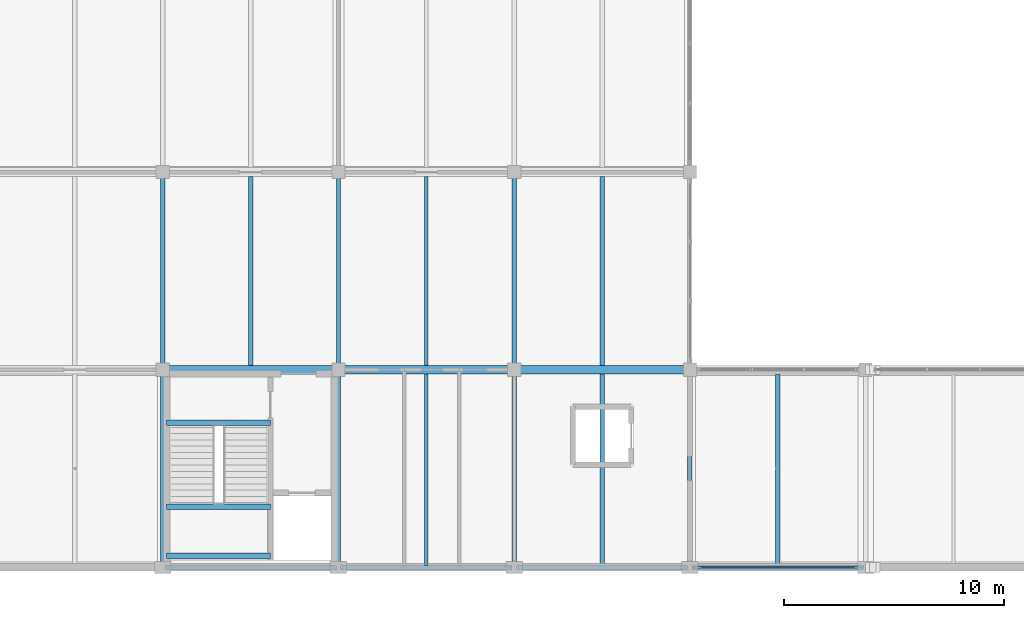
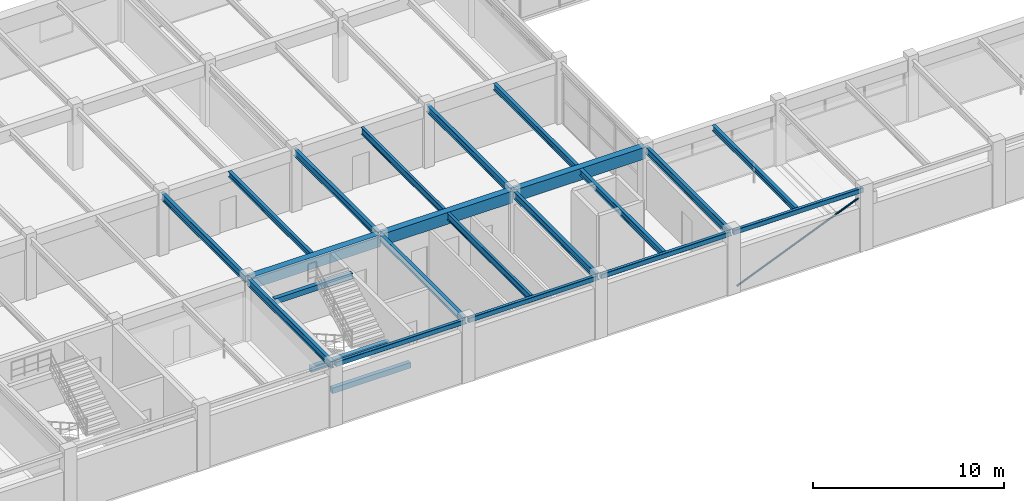
# One storey, part 13 of 126: 23 beams, 1 member.
"""IFC4 building model written with IfcOpenShell, lengths in metres."""

from ifc_helpers import new_model, si_unit, direction, frame, origin, origin_2d, place, context, subcontext, project, spatial, rectangle, hollow_rectangle, hollow_circle, i_section, extrude, material, material_profile, profile_set, type_object, element, save


model = new_model("IFC4")

# Units and contexts
model_context = context("Model", 3, precision=1e-05, world=origin(), true_north=direction((0.0, 1.0)))
body_context = subcontext(model_context, "Body", "Model", "MODEL_VIEW")
ifc_project = project(units=[si_unit("LENGTHUNIT", "METRE"), si_unit("AREAUNIT", "SQUARE_METRE"), si_unit("VOLUMEUNIT", "CUBIC_METRE"), si_unit("PLANEANGLEUNIT", "RADIAN"), si_unit("MASSUNIT", "GRAM", prefix="KILO")], contexts=[model_context])

# Site, building, storey
site_placement = place(None, origin())
site = spatial("IfcSite", under=ifc_project, at=site_placement, CompositionType="ELEMENT")
building_placement = place(site_placement, origin())
building = spatial("IfcBuilding", under=site, at=building_placement, Name="Varnabhumi Central Station", CompositionType="ELEMENT")
storey_placement = place(building_placement, frame((0.0, 0.0, 16.199951171875)))
storey = spatial("IfcBuildingStorey", under=building, at=storey_placement, Name="L03", CompositionType="ELEMENT", Elevation=16.199951171875)

# Beams
ifc_material_1 = material(Name="Structural steel E350", Category="steel")
ifc_material_profile_1 = material_profile(ifc_material_1, hollow_rectangle(XDim=0.199951171875, YDim=0.300048828125, WallThickness=0.011962890625, InnerFilletRadius=0.011962890625, OuterFilletRadius=0.02392578125, at=origin_2d()), Name="Structural steel E350", Category="steel")
ifc_profile_set_1 = profile_set([ifc_material_profile_1], Name="Structural steel E350")
beam_type_1 = type_object("IfcBeamType", Name="BM-EDGE-RHS300", PredefinedType="SPANDREL", material=ifc_profile_set_1)
for number, where, z_axis, x_axis, name in (
    (1, (88.10009765625, 0.0, 3.77001953125), (1.0, 0.0, 0.0), (0.0, 1.0, 0.0), "Beam L03-A:12-13"),
    (2, (96.10009765625, 0.0, 3.77001953125), (1.0, 0.0, 0.0), (0.0, 1.0, 0.0), "Beam L03-A:13-14"),
    (3, (104.10009765625, 0.0, 3.77001953125), (1.0, 0.0, 0.0), (0.0, 1.0, 0.0), "Beam L03-A:14-15"),
    (4, (112.10009765625, 0.0, 3.77001953125), (1.0, 0.0, 0.0), (0.0, 1.0, 0.0), "Beam L03-A:15-16"),
):
    element("IfcBeam", number, at=place(storey_placement, frame(where, z_axis=z_axis, x_axis=x_axis)), inside=storey, type_object=beam_type_1, Name=name, PredefinedType="SPANDREL", context=body_context, shape_type="SweptSolid", body=[
        extrude(hollow_rectangle(XDim=0.199951171875, YDim=0.300048828125, WallThickness=0.011962890625, InnerFilletRadius=0.011962890625, OuterFilletRadius=0.02392578125, at=origin_2d()), origin(), (0.0, 0.0, 1.0), 7.7998046875),
    ])
ifc_material_profile_2 = material_profile(ifc_material_1, i_section(OverallWidth=0.14990234375, OverallDepth=0.449951171875, WebThickness=0.009521484375, FlangeThickness=0.017333984375, FilletRadius=0.014892578125, at=origin_2d()), Name="Structural steel E350", Category="steel")
ifc_profile_set_2 = profile_set([ifc_material_profile_2], Name="Structural steel E350")
beam_type_2 = type_object("IfcBeamType", Name="BM-JST-ISMB450", PredefinedType="JOIST", material=ifc_profile_set_2)
beam_1_placement = place(storey_placement, frame((100.0, 0.10009765625, 3.695068359375), z_axis=(0.0, 1.0, 0.0), x_axis=(-1.0, 0.0, 0.0)))
element("IfcBeam", 5, at=beam_1_placement, inside=storey, type_object=beam_type_2, Name="Secondary Joist L03-13/14:A-B", PredefinedType="JOIST", context=body_context, shape_type="SweptSolid", body=[
    extrude(i_section(OverallWidth=0.14990234375, OverallDepth=0.449951171875, WebThickness=0.009521484375, FlangeThickness=0.017333984375, FilletRadius=0.014892578125, at=origin_2d()), origin(), (0.0, 0.0, 1.0), 8.699951171875),
])
beam_2_placement = place(storey_placement, frame((100.0, 9.199951171875, 3.695068359375), z_axis=(0.0, 1.0, 0.0), x_axis=(-1.0, 0.0, 0.0)))
element("IfcBeam", 6, at=beam_2_placement, inside=storey, type_object=beam_type_2, Name="Secondary Joist L03-13/14:B-C", PredefinedType="JOIST", context=body_context, shape_type="SweptSolid", body=[
    extrude(i_section(OverallWidth=0.14990234375, OverallDepth=0.449951171875, WebThickness=0.009521484375, FlangeThickness=0.017333984375, FilletRadius=0.014892578125, at=origin_2d()), origin(), (0.0, 0.0, 1.0), 8.60009765625),
])
ifc_material_2 = material(Name="Concrete M35", Category="concrete")
ifc_material_profile_3 = material_profile(ifc_material_2, rectangle(XDim=0.25, YDim=0.35009765625, at=origin_2d()), Name="Concrete M35", Category="concrete")
ifc_profile_set_3 = profile_set([ifc_material_profile_3], Name="Concrete M35")
beam_type_3 = type_object("IfcBeamType", Name="BM-RC-250x350", PredefinedType="LINTEL", material=ifc_profile_set_3)
for number, where, z_axis, x_axis, name in (
    (7, (88.179931640625, 0.5400390625, 1.7451171875), (1.0, 0.0, 0.0), (0.0, 1.0, 0.0), "ST-S2 L03 Half Landing Support Beam 1"),
    (8, (88.179931640625, 2.77490234375, 1.7451171875), (1.0, 0.0, 0.0), (0.0, 1.0, 0.0), "ST-S2 L03 Half Landing Support Beam 2"),
    (9, (88.179931640625, 6.580078125, 3.775146484375), (1.0, 0.0, 0.0), (0.0, 1.0, 0.0), "ST-S2 L03 Floor Opening Trimmer Beam"),
):
    element("IfcBeam", number, at=place(storey_placement, frame(where, z_axis=z_axis, x_axis=x_axis)), inside=storey, type_object=beam_type_3, Name=name, PredefinedType="LINTEL", context=body_context, shape_type="SweptSolid", body=[
        extrude(rectangle(XDim=0.25, YDim=0.35009765625, at=origin_2d()), origin(), (0.0, 0.0, 1.0), 4.719970703125),
    ])
ifc_material_3 = material(Name="Concrete M40", Category="concrete")
ifc_material_profile_4 = material_profile(ifc_material_3, rectangle(XDim=0.39990234375, YDim=0.75, at=origin_2d()), Name="Concrete M40", Category="concrete")
ifc_profile_set_4 = profile_set([ifc_material_profile_4], Name="Concrete M40")
beam_type_4 = type_object("IfcBeamType", Name="BM-RC-400x750", PredefinedType="BEAM", material=ifc_profile_set_4)
for number, where, z_axis, x_axis, name in (
    (10, (88.10009765625, 9.0, 3.545166015625), (1.0, 0.0, 0.0), (0.0, 1.0, 0.0), "Beam L03-B:12-13"),
    (11, (96.10009765625, 9.0, 3.545166015625), (1.0, 0.0, 0.0), (0.0, 1.0, 0.0), "Beam L03-B:13-14"),
    (12, (104.10009765625, 9.0, 3.545166015625), (1.0, 0.0, 0.0), (0.0, 1.0, 0.0), "Beam L03-B:14-15"),
):
    element("IfcBeam", number, at=place(storey_placement, frame(where, z_axis=z_axis, x_axis=x_axis)), inside=storey, type_object=beam_type_4, Name=name, PredefinedType="BEAM", context=body_context, shape_type="SweptSolid", body=[
        extrude(rectangle(XDim=0.39990234375, YDim=0.75, at=origin_2d()), origin(), (0.0, 0.0, 1.0), 7.7998046875),
    ])
ifc_material_profile_5 = material_profile(ifc_material_1, i_section(OverallWidth=0.199951171875, OverallDepth=0.39990234375, WebThickness=0.008544921875, FlangeThickness=0.012939453125, FilletRadius=0.012939453125, at=origin_2d()), Name="Structural steel E350", Category="steel")
ifc_profile_set_5 = profile_set([ifc_material_profile_5], Name="Structural steel E350")
beam_type_5 = type_object("IfcBeamType", Name="BM-SEC-ISWB400", PredefinedType="JOIST", material=ifc_profile_set_5)
beam_3_placement = place(storey_placement, frame((108.0, 0.10009765625, 3.719970703125), z_axis=(0.0, 1.0, 0.0), x_axis=(-1.0, 0.0, 0.0)))
element("IfcBeam", 13, at=beam_3_placement, inside=storey, type_object=beam_type_5, Name="Secondary Joist L03-14/15:A-B", PredefinedType="JOIST", context=body_context, shape_type="SweptSolid", body=[
    extrude(i_section(OverallWidth=0.199951171875, OverallDepth=0.39990234375, WebThickness=0.008544921875, FlangeThickness=0.012939453125, FilletRadius=0.012939453125, at=origin_2d()), origin(), (0.0, 0.0, 1.0), 8.699951171875),
])
beam_4_placement = place(storey_placement, frame((108.0, 9.199951171875, 3.719970703125), z_axis=(0.0, 1.0, 0.0), x_axis=(-1.0, 0.0, 0.0)))
element("IfcBeam", 14, at=beam_4_placement, inside=storey, type_object=beam_type_5, Name="Secondary Joist L03-14/15:B-C", PredefinedType="JOIST", context=body_context, shape_type="SweptSolid", body=[
    extrude(i_section(OverallWidth=0.199951171875, OverallDepth=0.39990234375, WebThickness=0.008544921875, FlangeThickness=0.012939453125, FilletRadius=0.012939453125, at=origin_2d()), origin(), (0.0, 0.0, 1.0), 8.60009765625),
])
ifc_material_profile_6 = material_profile(ifc_material_1, i_section(OverallWidth=0.199951171875, OverallDepth=0.35009765625, WebThickness=0.008056640625, FlangeThickness=0.011474609375, FilletRadius=0.011962890625, at=origin_2d()), Name="Structural steel E350", Category="steel")
ifc_profile_set_6 = profile_set([ifc_material_profile_6], Name="Structural steel E350")
beam_type_6 = type_object("IfcBeamType", Name="BM-STL-ISWB350", PredefinedType="JOIST", material=ifc_profile_set_6)
beam_5_placement = place(storey_placement, frame((116.0, 0.10009765625, 3.7451171875), z_axis=(0.0, 1.0, 0.0), x_axis=(-1.0, 0.0, 0.0)))
element("IfcBeam", 15, at=beam_5_placement, inside=storey, type_object=beam_type_6, Name="Secondary Joist L03-15/16:A-B", PredefinedType="JOIST", context=body_context, shape_type="SweptSolid", body=[
    extrude(i_section(OverallWidth=0.199951171875, OverallDepth=0.35009765625, WebThickness=0.008056640625, FlangeThickness=0.011474609375, FilletRadius=0.011962890625, at=origin_2d()), origin(), (0.0, 0.0, 1.0), 8.699951171875),
])
beam_6_placement = place(storey_placement, frame((92.0, 9.199951171875, 3.7451171875), z_axis=(0.0, 1.0, 0.0), x_axis=(-1.0, 0.0, 0.0)))
element("IfcBeam", 16, at=beam_6_placement, inside=storey, type_object=beam_type_6, Name="Secondary Joist L03-12/13:B-C", PredefinedType="JOIST", context=body_context, shape_type="SweptSolid", body=[
    extrude(i_section(OverallWidth=0.199951171875, OverallDepth=0.35009765625, WebThickness=0.008056640625, FlangeThickness=0.011474609375, FilletRadius=0.011962890625, at=origin_2d()), origin(), (0.0, 0.0, 1.0), 8.60009765625),
])
ifc_material_profile_7 = material_profile(ifc_material_1, i_section(OverallWidth=0.199951171875, OverallDepth=0.449951171875, WebThickness=0.00927734375, FlangeThickness=0.015380859375, FilletRadius=0.013916015625, at=origin_2d()), Name="Structural steel E350", Category="steel")
ifc_profile_set_7 = profile_set([ifc_material_profile_7], Name="Structural steel E350")
beam_type_7 = type_object("IfcBeamType", Name="BM-STL-ISWB450", PredefinedType="BEAM", material=ifc_profile_set_7)
for number, where, z_axis, x_axis, name in (
    (17, (88.0, 0.10009765625, 3.695068359375), (0.0, 1.0, 0.0), (-1.0, 0.0, 0.0), "Beam L03-12:A-B"),
    (18, (96.0, 0.10009765625, 3.695068359375), (0.0, 1.0, 0.0), (-1.0, 0.0, 0.0), "Beam L03-13:A-B"),
    (19, (104.0, 0.10009765625, 3.695068359375), (0.0, 1.0, 0.0), (-1.0, 0.0, 0.0), "Beam L03-14:A-B"),
    (20, (112.0, 0.10009765625, 3.695068359375), (0.0, 1.0, 0.0), (-1.0, 0.0, 0.0), "Beam L03-15:A-B"),
    (21, (88.0, 9.10009765625, 3.695068359375), (0.0, 1.0, 0.0), (-1.0, 0.0, 0.0), "Beam L03-12:B-C"),
    (22, (96.0, 9.10009765625, 3.695068359375), (0.0, 1.0, 0.0), (-1.0, 0.0, 0.0), "Beam L03-13:B-C"),
    (23, (104.0, 9.10009765625, 3.695068359375), (0.0, 1.0, 0.0), (-1.0, 0.0, 0.0), "Beam L03-14:B-C"),
):
    element("IfcBeam", number, at=place(storey_placement, frame(where, z_axis=z_axis, x_axis=x_axis)), inside=storey, type_object=beam_type_7, Name=name, PredefinedType="BEAM", context=body_context, shape_type="SweptSolid", body=[
        extrude(i_section(OverallWidth=0.199951171875, OverallDepth=0.449951171875, WebThickness=0.00927734375, FlangeThickness=0.015380859375, FilletRadius=0.013916015625, at=origin_2d()), origin(), (0.0, 0.0, 1.0), 8.7998046875),
    ])

# Member
ifc_material_profile_8 = material_profile(ifc_material_1, hollow_circle(Radius=0.05712890625, WallThickness=0.006103515625, at=origin_2d()), Name="Structural steel E350", Category="steel")
ifc_profile_set_8 = profile_set([ifc_material_profile_8], Name="Structural steel E350")
member_type = type_object("IfcMemberType", Name="MBR-DIAG-CHS114", PredefinedType="BRACE", material=ifc_profile_set_8)
member_placement = place(storey_placement, frame((112.320068359375, 0.0, 0.25), z_axis=(0.923813233643, 0.0, 0.382843452793), x_axis=(0.0, 1.0, 0.0)))
element("IfcMember", 24, at=member_placement, inside=storey, type_object=member_type, Name="Lateral Frame Brace WB-9", PredefinedType="BRACE", context=body_context, shape_type="SweptSolid", body=[
    extrude(hollow_circle(Radius=0.05712890625, WallThickness=0.006103515625, at=origin_2d()), origin(), (0.0, 0.0, 1.0), 7.966796875),
])

save(model, "model.ifc")
